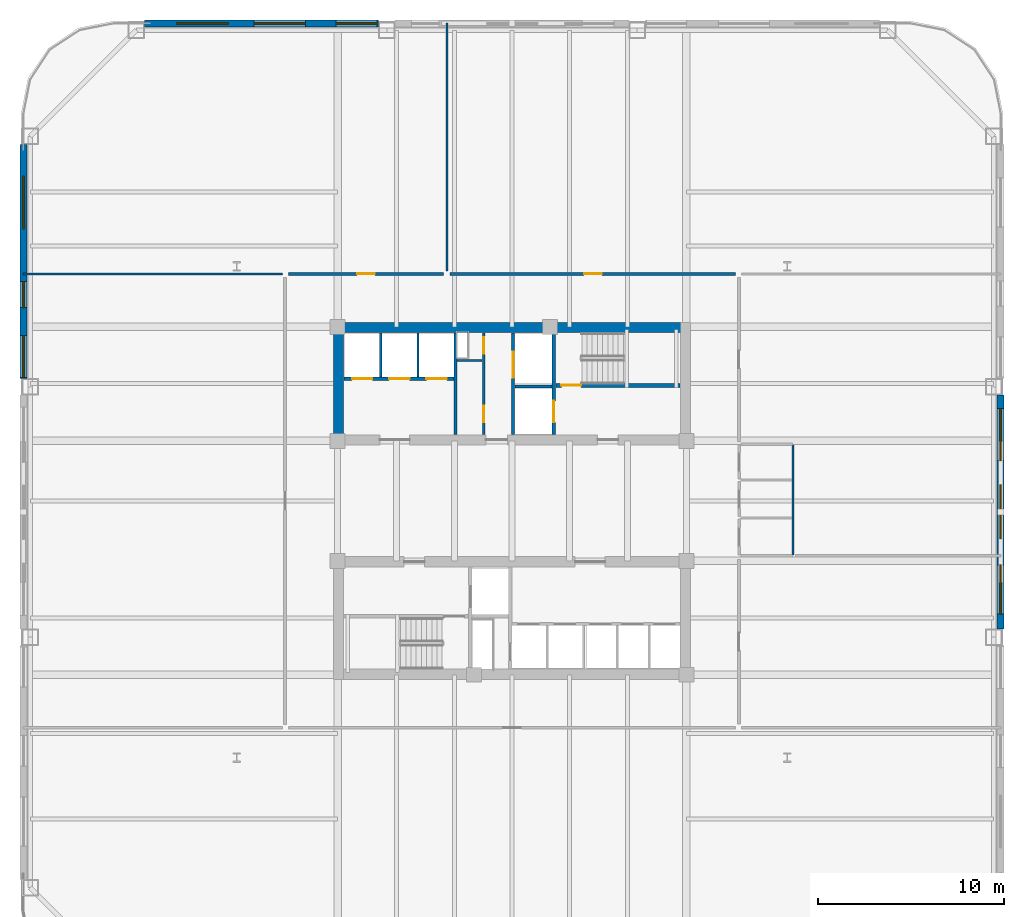
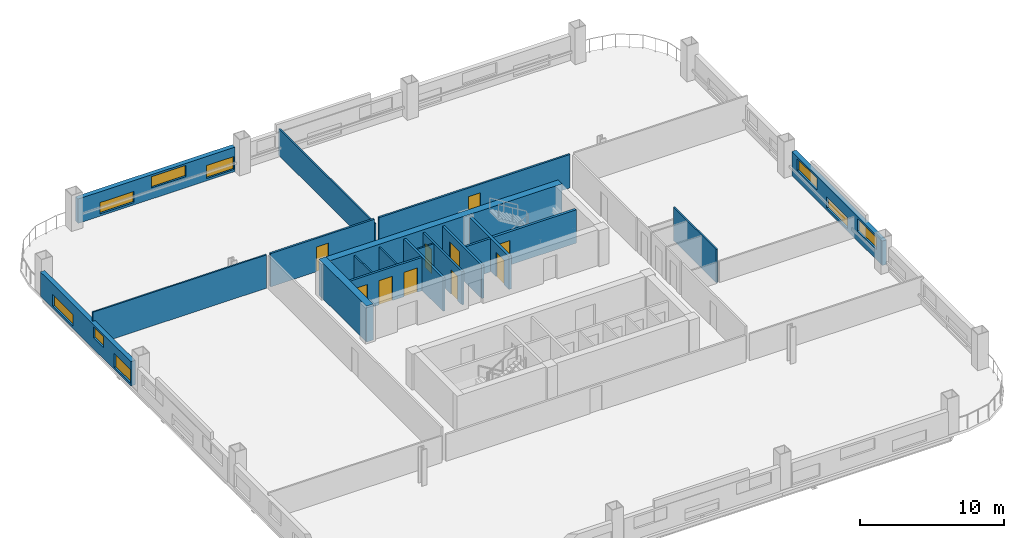
# One storey, part 4 of 11: 20 walls, 10 doors, 9 windows, 19 openings.
"""IFC4 building model written with IfcOpenShell, lengths in metres."""

import ifcopenshell
import ifcopenshell.guid

model = None  # the IFC model being written
_history = None  # IfcOwnerHistory: only IFC2X3 demands one
_inside = {}  # id of a spatial element -> (the spatial element, [elements in it])
_under = {}  # id of a project, library or spatial element -> (it, [spatial elements below it])
_declared = {}  # id of a project -> (the project, [libraries it declares])
_typed = {}  # id of a type object -> (the type object, [elements of that type])
_made_of = {}  # id of a material, layer set ... -> (it, [elements and type objects made of it])


def new_model(schema):
    """Start an empty IFC model of exactly this schema.

    Asked for "IFC4X3", IfcOpenShell would pick the latest addendum, in which some entities
    have other attributes; the version numbers below select the first issue.
    IFC2X3 requires an IfcOwnerHistory on every rooted entity: one is made here for all.
    """
    global model, _history
    if schema == "IFC4X3":
        model = ifcopenshell.file(schema_version=(4, 3, 0, 0))
    else:
        model = ifcopenshell.file(schema=schema)
    _inside.clear()
    _under.clear()
    _declared.clear()
    _typed.clear()
    _made_of.clear()
    _history = None
    if model.schema == "IFC2X3":
        org = make("IfcOrganization", Name="unknown")
        user = make(
            "IfcPersonAndOrganization",
            ThePerson=make("IfcPerson", FamilyName="unknown"),
            TheOrganization=org,
        )
        app = make(
            "IfcApplication",
            ApplicationDeveloper=org,
            Version="unknown",
            ApplicationFullName="unknown",
            ApplicationIdentifier="unknown",
        )
        _history = make(
            "IfcOwnerHistory",
            OwningUser=user,
            OwningApplication=app,
            ChangeAction="ADDED",
            CreationDate=0,
        )
    return model


def make(cls, **values):
    """One entity of the class cls with the attributes given. An attribute that is None is left unset."""
    return model.create_entity(
        cls, **{name: value for name, value in values.items() if value is not None}
    )


def rooted(cls, **values):
    """An entity with a GlobalId (a new one), such as an element, a storey or a relation."""
    return make(cls, GlobalId=ifcopenshell.guid.new(), OwnerHistory=_history, **values)


def si_unit(unit_type, name, prefix=None):
    """IfcSIUnit, for example si_unit("LENGTHUNIT", "METRE", prefix="MILLI")."""
    return make("IfcSIUnit", UnitType=unit_type, Prefix=prefix, Name=name)


def assignment(units):
    """IfcUnitAssignment: the units of a project."""
    return None if units is None else make("IfcUnitAssignment", Units=units)


def point(xyz):
    """IfcCartesianPoint."""
    return None if xyz is None else make("IfcCartesianPoint", Coordinates=xyz)


def direction(xyz):
    """IfcDirection."""
    return None if xyz is None else make("IfcDirection", DirectionRatios=xyz)


def frame(location, z_axis=None, x_axis=None):
    """IfcAxis2Placement3D, a coordinate frame: its origin and axes. An axis left out is left unset."""
    return make(
        "IfcAxis2Placement3D",
        Location=point(location),
        Axis=direction(z_axis),
        RefDirection=direction(x_axis),
    )


def frame_2d(location, x_axis=None):
    """IfcAxis2Placement2D, a coordinate frame in the plane: its origin and x axis."""
    return make(
        "IfcAxis2Placement2D", Location=point(location), RefDirection=direction(x_axis)
    )


def origin():
    """The frame at (0, 0, 0) with its axes left unset."""
    return frame((0.0, 0.0, 0.0))


def place(relative_to, where):
    """IfcLocalPlacement: puts the frame where relative to a parent placement (None: the world)."""
    return make(
        "IfcLocalPlacement", PlacementRelTo=relative_to, RelativePlacement=where
    )


def context(
    kind, dimensions, precision=None, world=None, true_north=None, identifier=None
):
    """IfcGeometricRepresentationContext, for example the 3D "Model" context."""
    return make(
        "IfcGeometricRepresentationContext",
        ContextIdentifier=identifier,
        ContextType=kind,
        CoordinateSpaceDimension=dimensions,
        Precision=precision,
        WorldCoordinateSystem=world,
        TrueNorth=true_north,
    )


def subcontext(parent, identifier, kind, view, scale=None):
    """IfcGeometricRepresentationSubContext, for example "Body" below "Model"."""
    return make(
        "IfcGeometricRepresentationSubContext",
        ContextIdentifier=identifier,
        ContextType=kind,
        ParentContext=parent,
        TargetScale=scale,
        TargetView=view,
    )


def project(units=None, contexts=None):
    """IfcProject with its units and contexts."""
    return rooted(
        "IfcProject",
        Name="project",
        RepresentationContexts=contexts,
        UnitsInContext=assignment(units),
    )


def spatial(cls, under=None, at=None, **own):
    """A site, building, storey or space (cls), placed at a placement, below another one or the project."""
    s = rooted(cls, ObjectPlacement=at, **own)
    if under is not None:
        _under.setdefault(under.id(), (under, []))[1].append(s)
    return s


def profile(cls, at=None, kind="AREA", **sizes):
    """A parametric profile (cls). Its sizes go by their IFC names, for example OverallWidth=200.0."""
    return make(cls, ProfileType=kind, Position=at, **sizes)


def rectangle(**sizes):
    """IfcRectangleProfileDef."""
    return profile("IfcRectangleProfileDef", **sizes)


def extrude(swept, where, along, depth):
    """IfcExtrudedAreaSolid: the profile swept, set in the frame where, extruded along a direction by depth."""
    return make(
        "IfcExtrudedAreaSolid",
        SweptArea=swept,
        Position=where,
        ExtrudedDirection=direction(along),
        Depth=depth,
    )


def shape(context_of_items, identifier, shape_type, items):
    """IfcShapeRepresentation: the items that make up one representation, for example the "Body"."""
    return make(
        "IfcShapeRepresentation",
        ContextOfItems=context_of_items,
        RepresentationIdentifier=identifier,
        RepresentationType=shape_type,
        Items=items,
    )


def material(Name=None, Category=None):
    """IfcMaterial."""
    return make("IfcMaterial", Name=Name, Category=Category)


def layer(
    of_material, thickness, ventilated=None, Name=None, Category=None, Priority=None
):
    """IfcMaterialLayer: one layer of a wall or slab, of a material (None: an air gap)."""
    return make(
        "IfcMaterialLayer",
        Material=of_material,
        LayerThickness=thickness,
        IsVentilated=ventilated,
        Name=Name,
        Category=Category,
        Priority=Priority,
    )


def layer_set(layers, Name=None):
    """IfcMaterialLayerSet."""
    return make("IfcMaterialLayerSet", MaterialLayers=layers, LayerSetName=Name)


def made_of(thing, what):
    """Note that an element or type object is made of a material, layer set ...; save() writes the relation."""
    if what is not None:
        _made_of.setdefault(what.id(), (what, []))[1].append(thing)
    return thing


def type_object(cls, material=None, **own):
    """A type object (cls), such as IfcWallType, which elements share."""
    return made_of(rooted(cls, **own), material)


def element(
    cls,
    number,
    at=None,
    inside=None,
    cuts=None,
    type_object=None,
    material=None,
    context=None,
    identifier="Body",
    shape_type=None,
    held_by="IfcProductDefinitionShape",
    body=None,
    shapes=None,
    **own,
):
    """One element of the class cls, such as IfcWall. Its Tag is "e" and its number.

    at: its placement. inside: the storey or other place that contains it. cuts: it is an
    opening in that element (IfcRelVoidsElement). A single representation is given by context,
    identifier, shape_type and body (its items); several are given by shapes. held_by: the class
    of the entity that holds the representations. save() writes the other relations.
    """
    e = rooted(cls, Tag="e%d" % number, ObjectPlacement=at, **own)
    if body is not None:
        shapes = [shape(context, identifier, shape_type, body)]
    if shapes is not None:
        e.Representation = make(held_by, Representations=shapes)
    if inside is not None:
        _inside.setdefault(inside.id(), (inside, []))[1].append(e)
    if cuts is not None:
        rooted(
            "IfcRelVoidsElement", RelatingBuildingElement=cuts, RelatedOpeningElement=e
        )
    if type_object is not None:
        _typed.setdefault(type_object.id(), (type_object, []))[1].append(e)
    return made_of(e, material)


def fill(opening, filler):
    """IfcRelFillsElement: the door or window that sits in an opening."""
    return rooted(
        "IfcRelFillsElement",
        RelatingOpeningElement=opening,
        RelatedBuildingElement=filler,
    )


def aggregate(whole, parts):
    """IfcRelAggregates: a whole, such as a stair, and the parts it consists of."""
    return rooted("IfcRelAggregates", RelatingObject=whole, RelatedObjects=parts)


def save(model, path):
    """Write the relations noted so far, then the file.

    IfcRelAggregates (storeys below a building ...), IfcRelContainedInSpatialStructure (elements
    in a storey), IfcRelDefinesByType, IfcRelAssociatesMaterial and IfcRelDeclares: one each for
    every whole, place, type object, material and project.
    """
    for whole, parts in _under.values():
        aggregate(whole, parts)
    for where, things in _inside.values():
        rooted(
            "IfcRelContainedInSpatialStructure",
            RelatedElements=things,
            RelatingStructure=where,
        )
    for kind, things in _typed.values():
        rooted("IfcRelDefinesByType", RelatedObjects=things, RelatingType=kind)
    for what, things in _made_of.values():
        rooted("IfcRelAssociatesMaterial", RelatedObjects=things, RelatingMaterial=what)
    for by, libraries in _declared.values():
        rooted("IfcRelDeclares", RelatingContext=by, RelatedDefinitions=libraries)
    model.write(path)


model = new_model("IFC4")

# Units and contexts
model_context = context("Model", 3, precision=1e-05, world=origin(), true_north=direction((0.0, 1.0)))
body_context = subcontext(model_context, "Body", "Model", "MODEL_VIEW")
ifc_project = project(units=[si_unit("LENGTHUNIT", "METRE"), si_unit("AREAUNIT", "SQUARE_METRE"), si_unit("VOLUMEUNIT", "CUBIC_METRE"), si_unit("PLANEANGLEUNIT", "RADIAN"), si_unit("MASSUNIT", "GRAM", prefix="KILO")], contexts=[model_context])

# Site, building, storey
site_placement = place(None, origin())
site = spatial("IfcSite", under=ifc_project, at=site_placement, CompositionType="ELEMENT")
building_placement = place(site_placement, origin())
building = spatial("IfcBuilding", under=site, at=building_placement, Name="Qhalaya Broadcast Tower", CompositionType="ELEMENT")
storey_placement = place(building_placement, frame((0.0, 0.0, 29.14990234375)))
storey = spatial("IfcBuildingStorey", under=building, at=storey_placement, Name="L07", CompositionType="ELEMENT", Elevation=29.14990234375)

# Wall, openings, doors
ifc_material_1 = material(Name="Gypsum Acoustic Partition")
ifc_layer_1 = layer(ifc_material_1, 0.14990234375, Name="Gypsum Acoustic Partition")
ifc_layer_set_1 = layer_set([ifc_layer_1], Name="Gypsum Acoustic Partition")
wall_type_1 = type_object("IfcWallType", Name="Corridor & Tenancy Acoustic Partition 150", PredefinedType="PARTITIONING", material=ifc_layer_set_1)
wall_1_placement = place(storey_placement, frame((-1.52001953125, 4.169921875, 0.0), z_axis=(0.0, 0.0, 1.0), x_axis=(0.0, 1.0, 0.0)))
wall_1 = element("IfcWall", 1, at=wall_1_placement, inside=storey, type_object=wall_type_1, Name="L07 Partition Wall NCW-SVL", PredefinedType="PARTITIONING", context=body_context, shape_type="SweptSolid", body=[
    extrude(rectangle(XDim=5.4599609375, YDim=0.14990234375, at=frame_2d((2.72998046875, 0.0))), origin(), (0.0, 0.0, 1.0), 2.830078125),
])
opening_1_placement = place(wall_1_placement, frame((4.330078125, 0.0, 0.0)))
opening_1 = element("IfcOpeningElement", 2, at=opening_1_placement, cuts=wall_1, Name="Opening D06", PredefinedType="OPENING", context=body_context, shape_type="SweptSolid", body=[
    extrude(rectangle(XDim=0.89990234375, YDim=2.050048828125, at=frame_2d((0.449951171875, 1.02490234375))), frame((0.0, 0.0869140625, 0.0), z_axis=(0.0, -1.0, 0.0), x_axis=(1.0, 0.0, 0.0)), (0.0, 0.0, 1.0), 0.173828125),
])
opening_2_placement = place(wall_1_placement, frame((0.64990234375, 0.0, 0.0)))
opening_2 = element("IfcOpeningElement", 3, at=opening_2_placement, cuts=wall_1, Name="Opening D06", PredefinedType="OPENING", context=body_context, shape_type="SweptSolid", body=[
    extrude(rectangle(XDim=0.89990234375, YDim=2.050048828125, at=frame_2d((0.449951171875, 1.02490234375))), frame((0.0, 0.0869140625, 0.0), z_axis=(0.0, -1.0, 0.0), x_axis=(1.0, 0.0, 0.0)), (0.0, 0.0, 1.0), 0.173828125),
])
ifc_material_2 = material(Name="Fire-Rated Steel Door", Category="steel")
door_type_1 = type_object("IfcDoorType", Name="Riser & Electrical Shaft Access Door D06", OperationType="NOTDEFINED", PredefinedType="DOOR", material=ifc_material_2)
door_1_placement = place(opening_1_placement, origin())
door_1 = element("IfcDoor", 4, at=door_1_placement, inside=storey, type_object=door_type_1, Name="L07 Riser Shaft Access Door D-NRSR", OperationType="SINGLE_SWING_RIGHT", OverallHeight=2.050048828125, OverallWidth=0.89990234375, PredefinedType="DOOR", context=body_context, shape_type="SweptSolid", body=[
    extrude(rectangle(XDim=0.89990234375, YDim=2.050048828125, at=frame_2d((0.449951171875, 1.02490234375))), frame((0.0, 0.02490234375, 0.0), z_axis=(0.0, -1.0, 0.0), x_axis=(1.0, 0.0, 0.0)), (0.0, 0.0, 1.0), 0.050048828125),
])
fill(opening_1, door_1)
door_2_placement = place(opening_2_placement, origin())
door_2 = element("IfcDoor", 5, at=door_2_placement, inside=storey, type_object=door_type_1, Name="L07 Door D-NCST", OperationType="SINGLE_SWING_LEFT", OverallHeight=2.050048828125, OverallWidth=0.89990234375, PredefinedType="DOOR", context=body_context, shape_type="SweptSolid", body=[
    extrude(rectangle(XDim=0.89990234375, YDim=2.050048828125, at=frame_2d((0.449951171875, 1.02490234375))), frame((0.0, 0.02490234375, 0.0), z_axis=(0.0, -1.0, 0.0), x_axis=(1.0, 0.0, 0.0)), (0.0, 0.0, 1.0), 0.050048828125),
])
fill(opening_2, door_2)

# Wall, opening, door
wall_2_placement = place(storey_placement, frame((-12.02001953125, 12.800048828125, 0.0), z_axis=(0.0, 0.0, 1.0), x_axis=(1.0, 0.0, 0.0)))
wall_2 = element("IfcWall", 6, at=wall_2_placement, inside=storey, type_object=wall_type_1, Name="L07 Partition Wall W-COR-01", PredefinedType="PARTITIONING", context=body_context, shape_type="SweptSolid", body=[
    extrude(rectangle(XDim=8.340087890625, YDim=0.14990234375, at=frame_2d((4.169921875, 0.0))), origin(), (0.0, 0.0, 1.0), 2.830078125),
])
opening_3_placement = place(wall_2_placement, frame((3.695068359375, 0.0, 0.0)))
opening_3 = element("IfcOpeningElement", 7, at=opening_3_placement, cuts=wall_2, Name="Opening D10", PredefinedType="OPENING", context=body_context, shape_type="SweptSolid", body=[
    extrude(rectangle(XDim=0.949951171875, YDim=2.10009765625, at=frame_2d((0.47509765625, 1.050048828125))), frame((0.0, 0.0869140625, 0.0), z_axis=(0.0, -1.0, 0.0), x_axis=(1.0, 0.0, 0.0)), (0.0, 0.0, 1.0), 0.173828125),
])
ifc_material_3 = material(Name="Timber Veneer Acoustic Door", Category="wood")
door_type_2 = type_object("IfcDoorType", Name="Cellular Office & Edit Booth Door D10", OperationType="NOTDEFINED", PredefinedType="DOOR", material=ifc_material_3)
door_3_placement = place(opening_3_placement, origin())
door_3 = element("IfcDoor", 8, at=door_3_placement, inside=storey, type_object=door_type_2, Name="L07 Door D-RM01", OperationType="SINGLE_SWING_LEFT", OverallHeight=2.10009765625, OverallWidth=0.949951171875, PredefinedType="DOOR", context=body_context, shape_type="SweptSolid", body=[
    extrude(rectangle(XDim=0.949951171875, YDim=2.10009765625, at=frame_2d((0.47509765625, 1.050048828125))), frame((0.0, 0.02490234375, 0.0), z_axis=(0.0, -1.0, 0.0), x_axis=(1.0, 0.0, 0.0)), (0.0, 0.0, 1.0), 0.050048828125),
])
fill(opening_3, door_3)

wall_3_placement = place(storey_placement, frame((-3.320068359375, 12.800048828125, 0.0), z_axis=(0.0, 0.0, 1.0), x_axis=(1.0, 0.0, 0.0)))
wall_3 = element("IfcWall", 9, at=wall_3_placement, inside=storey, type_object=wall_type_1, Name="L07 Partition Wall W-COR-02", PredefinedType="PARTITIONING", context=body_context, shape_type="SweptSolid", body=[
    extrude(rectangle(XDim=15.340087890625, YDim=0.14990234375, at=frame_2d((7.669921875, 0.0))), origin(), (0.0, 0.0, 1.0), 2.830078125),
])
opening_4_placement = place(wall_3_placement, frame((7.195068359375, 0.0, 0.0)))
opening_4 = element("IfcOpeningElement", 10, at=opening_4_placement, cuts=wall_3, Name="Opening D10", PredefinedType="OPENING", context=body_context, shape_type="SweptSolid", body=[
    extrude(rectangle(XDim=0.949951171875, YDim=2.10009765625, at=frame_2d((0.47509765625, 1.050048828125))), frame((0.0, 0.0869140625, 0.0), z_axis=(0.0, -1.0, 0.0), x_axis=(1.0, 0.0, 0.0)), (0.0, 0.0, 1.0), 0.173828125),
])
door_4_placement = place(opening_4_placement, origin())
door_4 = element("IfcDoor", 11, at=door_4_placement, inside=storey, type_object=door_type_2, Name="L07 Door D-RM02", OperationType="SINGLE_SWING_RIGHT", OverallHeight=2.10009765625, OverallWidth=0.949951171875, PredefinedType="DOOR", context=body_context, shape_type="SweptSolid", body=[
    extrude(rectangle(XDim=0.949951171875, YDim=2.10009765625, at=frame_2d((0.47509765625, 1.050048828125))), frame((0.0, 0.02490234375, 0.0), z_axis=(0.0, -1.0, 0.0), x_axis=(1.0, 0.0, 0.0)), (0.0, 0.0, 1.0), 0.050048828125),
])
fill(opening_4, door_4)

# Wall, openings, windows
ifc_material_4 = material(Name="Precast Concrete C40/50", Category="concrete")
ifc_layer_2 = layer(ifc_material_4, 0.360107421875, Name="Precast Concrete C40/50")
ifc_layer_set_2 = layer_set([ifc_layer_2], Name="Precast Concrete C40/50")
wall_type_2 = type_object("IfcWallType", Name="Insulated Precast Terracotta Exterior Wall 360", PredefinedType="SOLIDWALL", material=ifc_layer_set_2)
wall_4_placement = place(storey_placement, frame((26.260009765625, 6.283203125, 0.0), z_axis=(0.0, 0.0, 1.0), x_axis=(0.0, -1.0, 0.0)))
wall_4 = element("IfcWall", 12, at=wall_4_placement, inside=storey, type_object=wall_type_2, Name="L07 Exoskeleton Diagrid Infill Wall E2", PredefinedType="SOLIDWALL", context=body_context, shape_type="SweptSolid", body=[
    extrude(rectangle(XDim=12.56640625, YDim=0.360107421875, at=frame_2d((6.283203125, 0.0))), origin(), (0.0, 0.0, 1.0), 2.067138671875),
])
opening_5_placement = place(wall_4_placement, frame((0.720947265625, 0.0, 0.89990234375)))
opening_5 = element("IfcOpeningElement", 13, at=opening_5_placement, cuts=wall_4, Name="Opening W11", PredefinedType="OPENING", context=body_context, shape_type="SweptSolid", body=[
    extrude(rectangle(XDim=2.800048828125, YDim=1.0, at=frame_2d((1.39990234375, 0.5))), frame((0.0, 0.192138671875, 0.0), z_axis=(0.0, -1.0, 0.0), x_axis=(1.0, 0.0, 0.0)), (0.0, 0.0, 1.0), 0.384033203125),
])
opening_6_placement = place(wall_4_placement, frame((4.821044921875, 0.0, 0.199951171875)))
opening_6 = element("IfcOpeningElement", 14, at=opening_6_placement, cuts=wall_4, Name="Opening W11", PredefinedType="OPENING", context=body_context, shape_type="SweptSolid", body=[
    extrude(rectangle(XDim=2.89990234375, YDim=0.949951171875, at=frame_2d((1.449951171875, 0.47509765625))), frame((0.0, 0.192138671875, 0.0), z_axis=(0.0, -1.0, 0.0), x_axis=(1.0, 0.0, 0.0)), (0.0, 0.0, 1.0), 0.384033203125),
])
opening_7_placement = place(wall_4_placement, frame((9.12109375, 0.0, 0.85009765625)))
opening_7 = element("IfcOpeningElement", 15, at=opening_7_placement, cuts=wall_4, Name="Opening W11", PredefinedType="OPENING", context=body_context, shape_type="SweptSolid", body=[
    extrude(rectangle(XDim=2.64990234375, YDim=1.050048828125, at=frame_2d((1.324951171875, 0.52490234375))), frame((0.0, 0.192138671875, 0.0), z_axis=(0.0, -1.0, 0.0), x_axis=(1.0, 0.0, 0.0)), (0.0, 0.0, 1.0), 0.384033203125),
])
ifc_material_5 = material(Name="Solar-Control Low-E Triple Glazing", Category="glass")
window_type = type_object("IfcWindowType", Name="Odd-Block Diagrid Infill Window W11", PartitioningType="SINGLE_PANEL", PredefinedType="WINDOW", material=ifc_material_5)
window_1_placement = place(opening_5_placement, origin())
window_1 = element("IfcWindow", 16, at=window_1_placement, inside=storey, type_object=window_type, Name="L07 Diagrid Infill Window W11-E4", OverallHeight=1.0, OverallWidth=2.800048828125, PartitioningType="SINGLE_PANEL", PredefinedType="WINDOW", context=body_context, shape_type="SweptSolid", body=[
    extrude(rectangle(XDim=2.800048828125, YDim=1.0, at=frame_2d((1.39990234375, 0.5))), frame((0.0, 0.030029296875, 0.0), z_axis=(0.0, -1.0, 0.0), x_axis=(1.0, 0.0, 0.0)), (0.0, 0.0, 1.0), 0.06005859375),
])
fill(opening_5, window_1)
window_2_placement = place(opening_6_placement, origin())
window_2 = element("IfcWindow", 17, at=window_2_placement, inside=storey, type_object=window_type, Name="L07 Diagrid Infill Window W11-E5", OverallHeight=0.949951171875, OverallWidth=2.89990234375, PartitioningType="SINGLE_PANEL", PredefinedType="WINDOW", context=body_context, shape_type="SweptSolid", body=[
    extrude(rectangle(XDim=2.89990234375, YDim=0.949951171875, at=frame_2d((1.449951171875, 0.47509765625))), frame((0.0, 0.030029296875, 0.0), z_axis=(0.0, -1.0, 0.0), x_axis=(1.0, 0.0, 0.0)), (0.0, 0.0, 1.0), 0.06005859375),
])
fill(opening_6, window_2)
window_3_placement = place(opening_7_placement, origin())
window_3 = element("IfcWindow", 18, at=window_3_placement, inside=storey, type_object=window_type, Name="L07 Diagrid Infill Window W11-E6", OverallHeight=1.050048828125, OverallWidth=2.64990234375, PartitioningType="SINGLE_PANEL", PredefinedType="WINDOW", context=body_context, shape_type="SweptSolid", body=[
    extrude(rectangle(XDim=2.64990234375, YDim=1.050048828125, at=frame_2d((1.324951171875, 0.52490234375))), frame((0.0, 0.030029296875, 0.0), z_axis=(0.0, -1.0, 0.0), x_axis=(1.0, 0.0, 0.0)), (0.0, 0.0, 1.0), 0.06005859375),
])
fill(opening_7, window_3)

wall_5_placement = place(storey_placement, frame((-19.761962890625, 26.260009765625, 0.0), z_axis=(0.0, 0.0, 1.0), x_axis=(1.0, 0.0, 0.0)))
wall_5 = element("IfcWall", 19, at=wall_5_placement, inside=storey, type_object=wall_type_2, Name="L07 Exoskeleton Diagrid Infill Wall N1", PredefinedType="SOLIDWALL", context=body_context, shape_type="SweptSolid", body=[
    extrude(rectangle(XDim=12.57861328125, YDim=0.360107421875, at=frame_2d((6.289306640625, 0.0))), origin(), (0.0, 0.0, 1.0), 2.067138671875),
])
opening_8_placement = place(wall_5_placement, frame((1.75, 0.0, 0.199951171875)))
opening_8 = element("IfcOpeningElement", 20, at=opening_8_placement, cuts=wall_5, Name="Opening W11", PredefinedType="OPENING", context=body_context, shape_type="SweptSolid", body=[
    extrude(rectangle(XDim=2.75, YDim=0.949951171875, at=frame_2d((1.375, 0.47509765625))), frame((0.0, 0.192138671875, 0.0), z_axis=(0.0, -1.0, 0.0), x_axis=(1.0, 0.0, 0.0)), (0.0, 0.0, 1.0), 0.384033203125),
])
opening_9_placement = place(wall_5_placement, frame((5.89990234375, 0.0, 0.949951171875)))
opening_9 = element("IfcOpeningElement", 21, at=opening_9_placement, cuts=wall_5, Name="Opening W11", PredefinedType="OPENING", context=body_context, shape_type="SweptSolid", body=[
    extrude(rectangle(XDim=2.75, YDim=0.949951171875, at=frame_2d((1.375, 0.47509765625))), frame((0.0, 0.192138671875, 0.0), z_axis=(0.0, -1.0, 0.0), x_axis=(1.0, 0.0, 0.0)), (0.0, 0.0, 1.0), 0.384033203125),
])
opening_10_placement = place(wall_5_placement, frame((10.300048828125, 0.0, 0.199951171875)))
opening_10 = element("IfcOpeningElement", 22, at=opening_10_placement, cuts=wall_5, Name="Opening W11", PredefinedType="OPENING", context=body_context, shape_type="SweptSolid", body=[
    extrude(rectangle(XDim=2.199951171875, YDim=1.10009765625, at=frame_2d((1.10009765625, 0.550048828125))), frame((0.0, 0.192138671875, 0.0), z_axis=(0.0, -1.0, 0.0), x_axis=(1.0, 0.0, 0.0)), (0.0, 0.0, 1.0), 0.384033203125),
])
window_4_placement = place(opening_8_placement, origin())
window_4 = element("IfcWindow", 23, at=window_4_placement, inside=storey, type_object=window_type, Name="L07 Diagrid Infill Window W11-N1", OverallHeight=0.949951171875, OverallWidth=2.75, PartitioningType="SINGLE_PANEL", PredefinedType="WINDOW", context=body_context, shape_type="SweptSolid", body=[
    extrude(rectangle(XDim=2.75, YDim=0.949951171875, at=frame_2d((1.375, 0.47509765625))), frame((0.0, 0.030029296875, 0.0), z_axis=(0.0, -1.0, 0.0), x_axis=(1.0, 0.0, 0.0)), (0.0, 0.0, 1.0), 0.06005859375),
])
fill(opening_8, window_4)
window_5_placement = place(opening_9_placement, origin())
window_5 = element("IfcWindow", 24, at=window_5_placement, inside=storey, type_object=window_type, Name="L07 Diagrid Infill Window W11-N2", OverallHeight=0.949951171875, OverallWidth=2.75, PartitioningType="SINGLE_PANEL", PredefinedType="WINDOW", context=body_context, shape_type="SweptSolid", body=[
    extrude(rectangle(XDim=2.75, YDim=0.949951171875, at=frame_2d((1.375, 0.47509765625))), frame((0.0, 0.030029296875, 0.0), z_axis=(0.0, -1.0, 0.0), x_axis=(1.0, 0.0, 0.0)), (0.0, 0.0, 1.0), 0.06005859375),
])
fill(opening_9, window_5)
window_6_placement = place(opening_10_placement, origin())
window_6 = element("IfcWindow", 25, at=window_6_placement, inside=storey, type_object=window_type, Name="L07 Diagrid Infill Window W11-N3", OverallHeight=1.10009765625, OverallWidth=2.199951171875, PartitioningType="SINGLE_PANEL", PredefinedType="WINDOW", context=body_context, shape_type="SweptSolid", body=[
    extrude(rectangle(XDim=2.199951171875, YDim=1.10009765625, at=frame_2d((1.10009765625, 0.550048828125))), frame((0.0, 0.030029296875, 0.0), z_axis=(0.0, -1.0, 0.0), x_axis=(1.0, 0.0, 0.0)), (0.0, 0.0, 1.0), 0.06005859375),
])
fill(opening_10, window_6)

wall_6_placement = place(storey_placement, frame((-26.260009765625, 7.183349609375, 0.0), z_axis=(0.0, 0.0, 1.0), x_axis=(0.0, 1.0, 0.0)))
wall_6 = element("IfcWall", 26, at=wall_6_placement, inside=storey, type_object=wall_type_2, Name="L07 Exoskeleton Diagrid Infill Wall W3", PredefinedType="SOLIDWALL", context=body_context, shape_type="SweptSolid", body=[
    extrude(rectangle(XDim=12.57861328125, YDim=0.360107421875, at=frame_2d((6.289306640625, 0.0))), origin(), (0.0, 0.0, 1.0), 2.067138671875),
])
opening_11_placement = place(wall_6_placement, frame((0.054931640625, 0.0, 0.199951171875)))
opening_11 = element("IfcOpeningElement", 27, at=opening_11_placement, cuts=wall_6, Name="Opening W11", PredefinedType="OPENING", context=body_context, shape_type="SweptSolid", body=[
    extrude(rectangle(XDim=2.25, YDim=1.14990234375, at=frame_2d((1.125, 0.574951171875))), frame((0.0, 0.192138671875, 0.0), z_axis=(0.0, -1.0, 0.0), x_axis=(1.0, 0.0, 0.0)), (0.0, 0.0, 1.0), 0.384033203125),
])
opening_12_placement = place(wall_6_placement, frame((3.804931640625, 0.0, 0.949951171875)))
opening_12 = element("IfcOpeningElement", 28, at=opening_12_placement, cuts=wall_6, Name="Opening W11", PredefinedType="OPENING", context=body_context, shape_type="SweptSolid", body=[
    extrude(rectangle(XDim=1.39990234375, YDim=0.949951171875, at=frame_2d((0.699951171875, 0.47509765625))), frame((0.0, 0.192138671875, 0.0), z_axis=(0.0, -1.0, 0.0), x_axis=(1.0, 0.0, 0.0)), (0.0, 0.0, 1.0), 0.384033203125),
])
opening_13_placement = place(wall_6_placement, frame((8.054931640625, 0.0, 0.199951171875)))
opening_13 = element("IfcOpeningElement", 29, at=opening_13_placement, cuts=wall_6, Name="Opening W11", PredefinedType="OPENING", context=body_context, shape_type="SweptSolid", body=[
    extrude(rectangle(XDim=2.800048828125, YDim=1.0, at=frame_2d((1.39990234375, 0.5))), frame((0.0, 0.192138671875, 0.0), z_axis=(0.0, -1.0, 0.0), x_axis=(1.0, 0.0, 0.0)), (0.0, 0.0, 1.0), 0.384033203125),
])
window_7_placement = place(opening_11_placement, origin())
window_7 = element("IfcWindow", 30, at=window_7_placement, inside=storey, type_object=window_type, Name="L07 Diagrid Infill Window W11-W7", OverallHeight=1.14990234375, OverallWidth=2.25, PartitioningType="SINGLE_PANEL", PredefinedType="WINDOW", context=body_context, shape_type="SweptSolid", body=[
    extrude(rectangle(XDim=2.25, YDim=1.14990234375, at=frame_2d((1.125, 0.574951171875))), frame((0.0, 0.030029296875, 0.0), z_axis=(0.0, -1.0, 0.0), x_axis=(1.0, 0.0, 0.0)), (0.0, 0.0, 1.0), 0.06005859375),
])
fill(opening_11, window_7)
window_8_placement = place(opening_12_placement, origin())
window_8 = element("IfcWindow", 31, at=window_8_placement, inside=storey, type_object=window_type, Name="L07 Diagrid Infill Window W11-W8", OverallHeight=0.949951171875, OverallWidth=1.39990234375, PartitioningType="SINGLE_PANEL", PredefinedType="WINDOW", context=body_context, shape_type="SweptSolid", body=[
    extrude(rectangle(XDim=1.39990234375, YDim=0.949951171875, at=frame_2d((0.699951171875, 0.47509765625))), frame((0.0, 0.030029296875, 0.0), z_axis=(0.0, -1.0, 0.0), x_axis=(1.0, 0.0, 0.0)), (0.0, 0.0, 1.0), 0.06005859375),
])
fill(opening_12, window_8)
window_9_placement = place(opening_13_placement, origin())
window_9 = element("IfcWindow", 32, at=window_9_placement, inside=storey, type_object=window_type, Name="L07 Diagrid Infill Window W11-W9", OverallHeight=1.0, OverallWidth=2.800048828125, PartitioningType="SINGLE_PANEL", PredefinedType="WINDOW", context=body_context, shape_type="SweptSolid", body=[
    extrude(rectangle(XDim=2.800048828125, YDim=1.0, at=frame_2d((1.39990234375, 0.5))), frame((0.0, 0.030029296875, 0.0), z_axis=(0.0, -1.0, 0.0), x_axis=(1.0, 0.0, 0.0)), (0.0, 0.0, 1.0), 0.06005859375),
])
fill(opening_13, window_9)

# Wall, opening, door
ifc_material_6 = material(Name="Concrete C50/60", Category="concrete")
ifc_layer_3 = layer(ifc_material_6, 0.199951171875, Name="Concrete C50/60")
ifc_layer_set_3 = layer_set([ifc_layer_3], Name="Concrete C50/60")
wall_type_3 = type_object("IfcWallType", Name="Load-Bearing Stair Shaft Wall 200", PredefinedType="SHEAR", material=ifc_layer_set_3)
wall_7_placement = place(storey_placement, frame((2.360107421875, 6.804931640625, 0.0), z_axis=(0.0, 0.0, 1.0), x_axis=(1.0, 0.0, 0.0)))
wall_7 = element("IfcWall", 33, at=wall_7_placement, inside=storey, type_object=wall_type_3, Name="L07 Stair Core Shear Wall NCW-ST1", PredefinedType="SHEAR", context=body_context, shape_type="SweptSolid", body=[
    extrude(rectangle(XDim=6.669921875, YDim=0.199951171875, at=frame_2d((3.3349609375, 0.0))), origin(), (0.0, 0.0, 1.0), 2.830078125),
])
opening_14_placement = place(wall_7_placement, frame((0.300048828125, 0.0, 0.0)))
opening_14 = element("IfcOpeningElement", 34, at=opening_14_placement, cuts=wall_7, Name="Opening D03", PredefinedType="OPENING", context=body_context, shape_type="SweptSolid", body=[
    extrude(rectangle(XDim=1.050048828125, YDim=2.080078125, at=frame_2d((0.52490234375, 1.0400390625))), frame((0.0, 0.112060546875, 0.0), z_axis=(0.0, -1.0, 0.0), x_axis=(1.0, 0.0, 0.0)), (0.0, 0.0, 1.0), 0.223876953125),
])
door_type_3 = type_object("IfcDoorType", Name="Core Stair Protected Fire Door D03", OperationType="NOTDEFINED", PredefinedType="DOOR", material=ifc_material_2)
door_5_placement = place(opening_14_placement, origin())
door_5 = element("IfcDoor", 35, at=door_5_placement, inside=storey, type_object=door_type_3, Name="L07 Door D-NST1", OperationType="SINGLE_SWING_LEFT", OverallHeight=2.080078125, OverallWidth=1.050048828125, PredefinedType="DOOR", context=body_context, shape_type="SweptSolid", body=[
    extrude(rectangle(XDim=1.050048828125, YDim=2.080078125, at=frame_2d((0.52490234375, 1.0400390625))), frame((0.0, 0.02490234375, 0.0), z_axis=(0.0, -1.0, 0.0), x_axis=(1.0, 0.0, 0.0)), (0.0, 0.0, 1.0), 0.050048828125),
])
fill(opening_14, door_5)

wall_8_placement = place(storey_placement, frame((2.25, 4.169921875, 0.0), z_axis=(0.0, 0.0, 1.0), x_axis=(0.0, 1.0, 0.0)))
wall_8 = element("IfcWall", 36, at=wall_8_placement, inside=storey, type_object=wall_type_3, Name="L07 Stair Core Shear Wall NCW-FF", PredefinedType="SHEAR", context=body_context, shape_type="SweptSolid", body=[
    extrude(rectangle(XDim=5.4599609375, YDim=0.199951171875, at=frame_2d((2.72998046875, 0.0))), origin(), (0.0, 0.0, 1.0), 2.830078125),
])
opening_15_placement = place(wall_8_placement, frame((0.64990234375, 0.0, 0.0)))
opening_15 = element("IfcOpeningElement", 37, at=opening_15_placement, cuts=wall_8, Name="Opening LD2", PredefinedType="OPENING", context=body_context, shape_type="SweptSolid", body=[
    extrude(rectangle(XDim=1.14990234375, YDim=2.080078125, at=frame_2d((0.574951171875, 1.0400390625))), frame((0.0, 0.112060546875, 0.0), z_axis=(0.0, -1.0, 0.0), x_axis=(1.0, 0.0, 0.0)), (0.0, 0.0, 1.0), 0.223876953125),
])
ifc_material_7 = material(Name="Brushed Stainless Steel Lift Door", Category="steel")
door_type_4 = type_object("IfcDoorType", Name="Firefighting Lift Sliding Landing Door LD2", OperationType="DOUBLE_DOOR_SLIDING", PredefinedType="DOOR", material=ifc_material_7)
door_6_placement = place(opening_15_placement, origin())
door_6 = element("IfcDoor", 38, at=door_6_placement, inside=storey, type_object=door_type_4, Name="L07 Door LD-FF1", OperationType="DOUBLE_DOOR_SLIDING", OverallHeight=2.080078125, OverallWidth=1.14990234375, PredefinedType="DOOR", context=body_context, shape_type="SweptSolid", body=[
    extrude(rectangle(XDim=1.14990234375, YDim=2.080078125, at=frame_2d((0.574951171875, 1.0400390625))), frame((0.0, 0.02490234375, 0.0), z_axis=(0.0, -1.0, 0.0), x_axis=(1.0, 0.0, 0.0)), (0.0, 0.0, 1.0), 0.050048828125),
])
fill(opening_15, door_6)

# Walls
ifc_material_8 = material(Name="Concrete C60/75", Category="concrete")
ifc_layer_4 = layer(ifc_material_8, 0.550048828125, Name="Concrete C60/75")
ifc_layer_set_4 = layer_set([ifc_layer_4], Name="Concrete C60/75")
wall_type_4 = type_object("IfcWallType", Name="Lower Split-Core Shear Wall 550", PredefinedType="SHEAR", material=ifc_layer_set_4)
wall_9_placement = place(storey_placement, frame((-9.60009765625, 9.925048828125, 0.0), z_axis=(0.0, 0.0, 1.0), x_axis=(1.0, 0.0, 0.0)))
element("IfcWall", 39, at=wall_9_placement, inside=storey, type_object=wall_type_4, Name="L07 Split-Core Shear Wall CW-NN", PredefinedType="SHEAR", context=body_context, shape_type="SweptSolid", body=[
    extrude(rectangle(XDim=19.2001953125, YDim=0.550048828125, at=frame_2d((9.60009765625, 0.0))), origin(), (0.0, 0.0, 1.0), 3.050048828125),
])
wall_10_placement = place(storey_placement, frame((-9.324951171875, 3.60009765625, 0.0), z_axis=(0.0, 0.0, 1.0), x_axis=(0.0, 1.0, 0.0)))
element("IfcWall", 40, at=wall_10_placement, inside=storey, type_object=wall_type_4, Name="L07 Split-Core Shear Wall CW-NW", PredefinedType="SHEAR", context=body_context, shape_type="SweptSolid", body=[
    extrude(rectangle(XDim=6.599853515625, YDim=0.550048828125, at=frame_2d((3.2998046875, 0.0))), origin(), (0.0, 0.0, 1.0), 3.050048828125),
])
ifc_layer_5 = layer(ifc_material_1, 0.1201171875, Name="Gypsum Acoustic Partition")
ifc_layer_set_5 = layer_set([ifc_layer_5], Name="Gypsum Acoustic Partition")
wall_type_5 = type_object("IfcWallType", Name="Office, Booth & Sanitary Partition 120", PredefinedType="PARTITIONING", material=ifc_layer_set_5)
wall_11_placement = place(storey_placement, frame((-2.9599609375, 8.14990234375, 0.0), z_axis=(0.0, 0.0, 1.0), x_axis=(1.0, 0.0, 0.0)))
element("IfcWall", 41, at=wall_11_placement, inside=storey, type_object=wall_type_5, Name="L07 Partition Wall NCW-VA", PredefinedType="PARTITIONING", context=body_context, shape_type="SweptSolid", body=[
    extrude(rectangle(XDim=1.35986328125, YDim=0.1201171875, at=frame_2d((0.679931640625, 0.0))), origin(), (0.0, 0.0, 1.0), 2.830078125),
])
for number, where, z_axis, x_axis, name in (
    (42, (-7.06005859375, 7.25, 0.0), (0.0, 0.0, 1.0), (0.0, 1.0, 0.0), "L07 Partition Wall NCW-PD1"),
    (43, (-5.06005859375, 7.25, 0.0), (0.0, 0.0, 1.0), (0.0, 1.0, 0.0), "L07 Partition Wall NCW-PD2"),
):
    element("IfcWall", number, at=place(storey_placement, frame(where, z_axis=z_axis, x_axis=x_axis)), inside=storey, type_object=wall_type_5, Name=name, PredefinedType="PARTITIONING", context=body_context, shape_type="SweptSolid", body=[
        extrude(rectangle(XDim=2.3798828125, YDim=0.1201171875, at=frame_2d((1.18994140625, 0.0))), origin(), (0.0, 0.0, 1.0), 2.830078125),
    ])
wall_12_placement = place(storey_placement, frame((15.10009765625, -2.320068359375, 0.0), z_axis=(0.0, 0.0, 1.0), x_axis=(0.0, 1.0, 0.0)))
element("IfcWall", 44, at=wall_12_placement, inside=storey, type_object=wall_type_5, Name="L07 Partition Wall W-WCE", PredefinedType="PARTITIONING", context=body_context, shape_type="SweptSolid", body=[
    extrude(rectangle(XDim=5.93017578125, YDim=0.1201171875, at=frame_2d((2.965087890625, 0.0))), origin(), (0.0, 0.0, 1.0), 2.830078125),
])
wall_13_placement = place(storey_placement, frame((-26.280029296875, 12.800048828125, 0.0), z_axis=(0.0, 0.0, 1.0), x_axis=(1.0, 0.0, 0.0)))
element("IfcWall", 45, at=wall_13_placement, inside=storey, type_object=wall_type_5, Name="L07 Partition Wall W-BNDW1", PredefinedType="PARTITIONING", context=body_context, shape_type="SweptSolid", body=[
    extrude(rectangle(XDim=13.93994140625, YDim=0.1201171875, at=frame_2d((6.969970703125, 0.0))), origin(), (0.0, 0.0, 1.0), 2.830078125),
])
wall_14_placement = place(storey_placement, frame((-3.5, 12.9599609375, 0.0), z_axis=(0.0, 0.0, 1.0), x_axis=(0.0, 1.0, 0.0)))
element("IfcWall", 46, at=wall_14_placement, inside=storey, type_object=wall_type_5, Name="L07 Partition Wall W-DIVN1", PredefinedType="PARTITIONING", context=body_context, shape_type="SweptSolid", body=[
    extrude(rectangle(XDim=13.320068359375, YDim=0.1201171875, at=frame_2d((6.66015625, 0.0))), origin(), (0.0, 0.0, 1.0), 2.274169921875),
])

# Wall, opening, door
ifc_layer_6 = layer(ifc_material_1, 0.175048828125, Name="Gypsum Acoustic Partition")
ifc_layer_set_6 = layer_set([ifc_layer_6], Name="Gypsum Acoustic Partition")
wall_type_6 = type_object("IfcWallType", Name="Shaft & Riser Fire Partition 175", PredefinedType="PARTITIONING", material=ifc_layer_set_6)
wall_15_placement = place(storey_placement, frame((0.06005859375, 4.169921875, 0.0), z_axis=(0.0, 0.0, 1.0), x_axis=(0.0, 1.0, 0.0)))
wall_15 = element("IfcWall", 47, at=wall_15_placement, inside=storey, type_object=wall_type_6, Name="L07 Partition Wall NCW-SVW", PredefinedType="PARTITIONING", context=body_context, shape_type="SweptSolid", body=[
    extrude(rectangle(XDim=5.4599609375, YDim=0.175048828125, at=frame_2d((2.72998046875, 0.0))), origin(), (0.0, 0.0, 1.0), 2.830078125),
])
opening_16_placement = place(wall_15_placement, frame((3.050048828125, 0.0, 0.0)))
opening_16 = element("IfcOpeningElement", 48, at=opening_16_placement, cuts=wall_15, Name="Opening LD3", PredefinedType="OPENING", context=body_context, shape_type="SweptSolid", body=[
    extrude(rectangle(XDim=1.39990234375, YDim=2.1201171875, at=frame_2d((0.699951171875, 1.06005859375))), frame((0.0, 0.099609375, 0.0), z_axis=(0.0, -1.0, 0.0), x_axis=(1.0, 0.0, 0.0)), (0.0, 0.0, 1.0), 0.198974609375),
])
door_type_5 = type_object("IfcDoorType", Name="Service Lift Wide Sliding Landing Door LD3", OperationType="DOUBLE_DOOR_SLIDING", PredefinedType="DOOR", material=ifc_material_7)
door_7_placement = place(opening_16_placement, origin())
door_7 = element("IfcDoor", 49, at=door_7_placement, inside=storey, type_object=door_type_5, Name="L07 Door LD-SV1", OperationType="DOUBLE_DOOR_SLIDING", OverallHeight=2.1201171875, OverallWidth=1.39990234375, PredefinedType="DOOR", context=body_context, shape_type="SweptSolid", body=[
    extrude(rectangle(XDim=1.39990234375, YDim=2.1201171875, at=frame_2d((0.699951171875, 1.06005859375))), frame((0.0, 0.02490234375, 0.0), z_axis=(0.0, -1.0, 0.0), x_axis=(1.0, 0.0, 0.0)), (0.0, 0.0, 1.0), 0.050048828125),
])
fill(opening_16, door_7)

# Walls
wall_16_placement = place(storey_placement, frame((0.159912109375, 6.75, 0.0), z_axis=(0.0, 0.0, 1.0), x_axis=(1.0, 0.0, 0.0)))
element("IfcWall", 50, at=wall_16_placement, inside=storey, type_object=wall_type_6, Name="L07 Partition Wall NCW-SVM", PredefinedType="PARTITIONING", context=body_context, shape_type="SweptSolid", body=[
    extrude(rectangle(XDim=1.97998046875, YDim=0.175048828125, at=frame_2d((0.989990234375, 0.0))), origin(), (0.0, 0.0, 1.0), 2.830078125),
])
wall_17_placement = place(storey_placement, frame((-3.0400390625, 4.169921875, 0.0), z_axis=(0.0, 0.0, 1.0), x_axis=(0.0, 1.0, 0.0)))
element("IfcWall", 51, at=wall_17_placement, inside=storey, type_object=wall_type_6, Name="L07 Partition Wall NCW-VRW", PredefinedType="PARTITIONING", context=body_context, shape_type="SweptSolid", body=[
    extrude(rectangle(XDim=5.4599609375, YDim=0.175048828125, at=frame_2d((2.72998046875, 0.0))), origin(), (0.0, 0.0, 1.0), 2.830078125),
])

# Wall, openings, doors
wall_18_placement = place(storey_placement, frame((-9.030029296875, 7.159912109375, 0.0), z_axis=(0.0, 0.0, 1.0), x_axis=(1.0, 0.0, 0.0)))
wall_18 = element("IfcWall", 52, at=wall_18_placement, inside=storey, type_object=wall_type_6, Name="L07 Partition Wall NCW-PLB", PredefinedType="PARTITIONING", context=body_context, shape_type="SweptSolid", body=[
    extrude(rectangle(XDim=5.909912109375, YDim=0.175048828125, at=frame_2d((2.955078125, 0.0))), origin(), (0.0, 0.0, 1.0), 2.830078125),
])
opening_17_placement = place(wall_18_placement, frame((0.429931640625, 0.0, 0.0)))
opening_17 = element("IfcOpeningElement", 53, at=opening_17_placement, cuts=wall_18, Name="Opening LD1", PredefinedType="OPENING", context=body_context, shape_type="SweptSolid", body=[
    extrude(rectangle(XDim=1.10009765625, YDim=2.06005859375, at=frame_2d((0.550048828125, 1.030029296875))), frame((0.0, 0.099609375, 0.0), z_axis=(0.0, -1.0, 0.0), x_axis=(1.0, 0.0, 0.0)), (0.0, 0.0, 1.0), 0.198974609375),
])
opening_18_placement = place(wall_18_placement, frame((2.429931640625, 0.0, 0.0)))
opening_18 = element("IfcOpeningElement", 54, at=opening_18_placement, cuts=wall_18, Name="Opening LD1", PredefinedType="OPENING", context=body_context, shape_type="SweptSolid", body=[
    extrude(rectangle(XDim=1.10009765625, YDim=2.06005859375, at=frame_2d((0.550048828125, 1.030029296875))), frame((0.0, 0.099609375, 0.0), z_axis=(0.0, -1.0, 0.0), x_axis=(1.0, 0.0, 0.0)), (0.0, 0.0, 1.0), 0.198974609375),
])
opening_19_placement = place(wall_18_placement, frame((4.429931640625, 0.0, 0.0)))
opening_19 = element("IfcOpeningElement", 55, at=opening_19_placement, cuts=wall_18, Name="Opening LD1", PredefinedType="OPENING", context=body_context, shape_type="SweptSolid", body=[
    extrude(rectangle(XDim=1.10009765625, YDim=2.06005859375, at=frame_2d((0.550048828125, 1.030029296875))), frame((0.0, 0.099609375, 0.0), z_axis=(0.0, -1.0, 0.0), x_axis=(1.0, 0.0, 0.0)), (0.0, 0.0, 1.0), 0.198974609375),
])
door_type_6 = type_object("IfcDoorType", Name="Passenger Lift Sliding Landing Door LD1", OperationType="DOUBLE_DOOR_SLIDING", PredefinedType="DOOR", material=ifc_material_7)
door_8_placement = place(opening_17_placement, origin())
door_8 = element("IfcDoor", 56, at=door_8_placement, inside=storey, type_object=door_type_6, Name="L07 Door LD-P1", OperationType="DOUBLE_DOOR_SLIDING", OverallHeight=2.06005859375, OverallWidth=1.10009765625, PredefinedType="DOOR", context=body_context, shape_type="SweptSolid", body=[
    extrude(rectangle(XDim=1.10009765625, YDim=2.06005859375, at=frame_2d((0.550048828125, 1.030029296875))), frame((0.0, 0.02490234375, 0.0), z_axis=(0.0, -1.0, 0.0), x_axis=(1.0, 0.0, 0.0)), (0.0, 0.0, 1.0), 0.050048828125),
])
fill(opening_17, door_8)
door_9_placement = place(opening_18_placement, origin())
door_9 = element("IfcDoor", 57, at=door_9_placement, inside=storey, type_object=door_type_6, Name="L07 Door LD-P2", OperationType="DOUBLE_DOOR_SLIDING", OverallHeight=2.06005859375, OverallWidth=1.10009765625, PredefinedType="DOOR", context=body_context, shape_type="SweptSolid", body=[
    extrude(rectangle(XDim=1.10009765625, YDim=2.06005859375, at=frame_2d((0.550048828125, 1.030029296875))), frame((0.0, 0.02490234375, 0.0), z_axis=(0.0, -1.0, 0.0), x_axis=(1.0, 0.0, 0.0)), (0.0, 0.0, 1.0), 0.050048828125),
])
fill(opening_18, door_9)
door_10_placement = place(opening_19_placement, origin())
door_10 = element("IfcDoor", 58, at=door_10_placement, inside=storey, type_object=door_type_6, Name="L07 Door LD-P3", OperationType="DOUBLE_DOOR_SLIDING", OverallHeight=2.06005859375, OverallWidth=1.10009765625, PredefinedType="DOOR", context=body_context, shape_type="SweptSolid", body=[
    extrude(rectangle(XDim=1.10009765625, YDim=2.06005859375, at=frame_2d((0.550048828125, 1.030029296875))), frame((0.0, 0.02490234375, 0.0), z_axis=(0.0, -1.0, 0.0), x_axis=(1.0, 0.0, 0.0)), (0.0, 0.0, 1.0), 0.050048828125),
])
fill(opening_19, door_10)

save(model, "model.ifc")
